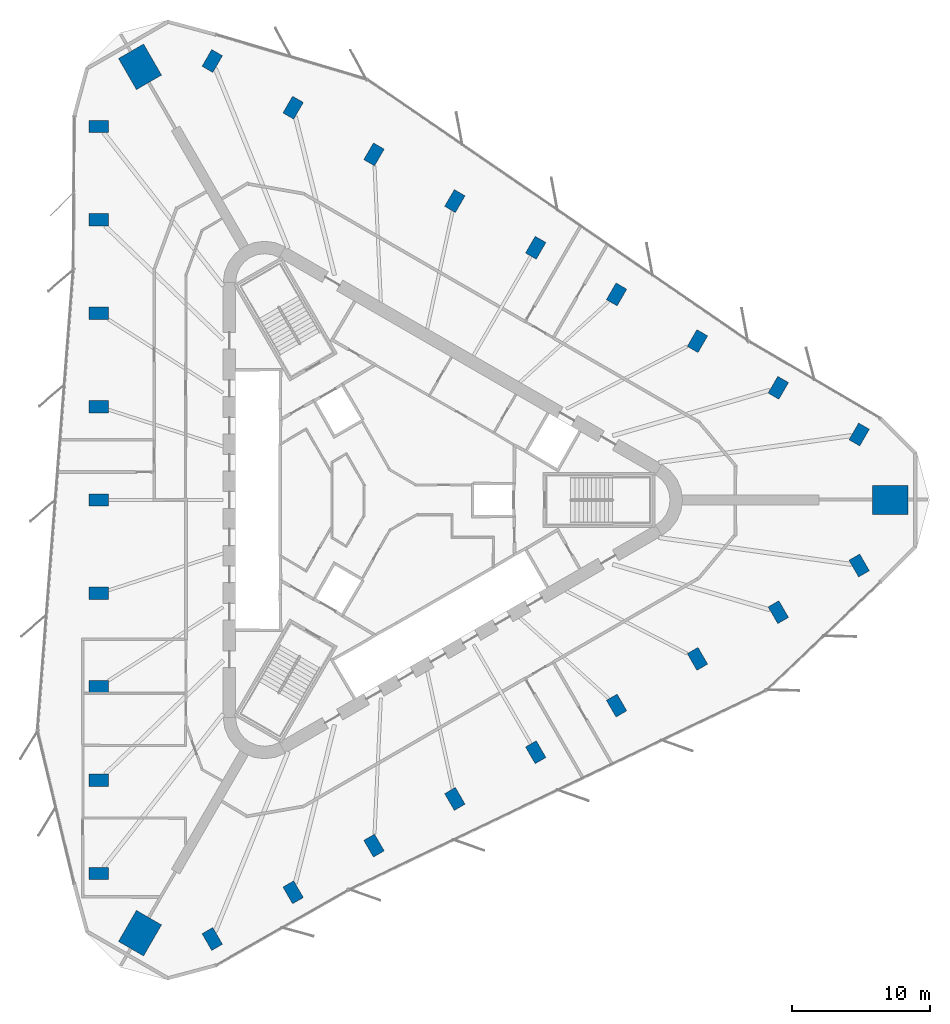
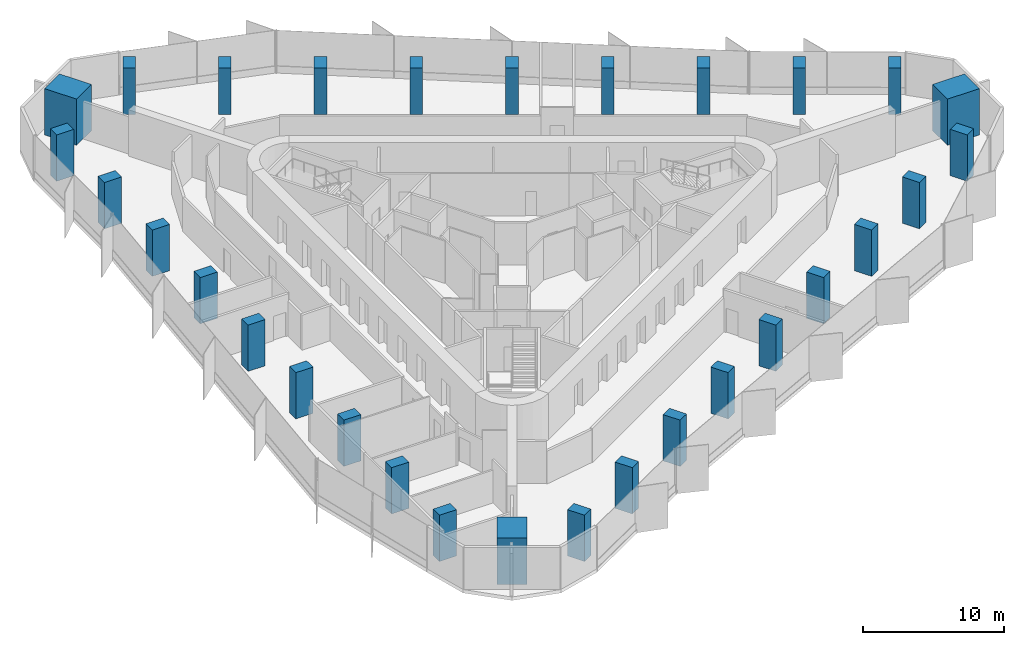
# One storey, part 1 of 13: 30 columns.
"""IFC4 building model written with IfcOpenShell, lengths in metres."""

from ifc_helpers import new_model, si_unit, direction, frame, origin, origin_2d, place, context, subcontext, project, spatial, rectangle, extrude, material, material_profile, profile_set, type_object, element, save


model = new_model("IFC4")

# Units and contexts
model_context = context("Model", 3, precision=1e-05, world=origin(), true_north=direction((0.0, 1.0)))
body_context = subcontext(model_context, "Body", "Model", "MODEL_VIEW")
ifc_project = project(units=[si_unit("LENGTHUNIT", "METRE"), si_unit("AREAUNIT", "SQUARE_METRE"), si_unit("VOLUMEUNIT", "CUBIC_METRE"), si_unit("PLANEANGLEUNIT", "RADIAN"), si_unit("MASSUNIT", "GRAM", prefix="KILO")], contexts=[model_context])

# Site, building, storey
site_placement = place(None, origin())
site = spatial("IfcSite", under=ifc_project, at=site_placement, CompositionType="ELEMENT")
building_placement = place(site_placement, origin())
building = spatial("IfcBuilding", under=site, at=building_placement, Name="Tanit Gate Tower", CompositionType="ELEMENT")
storey_placement = place(building_placement, frame((0.0, 0.0, 273.199951171875)))
storey = spatial("IfcBuildingStorey", under=building, at=storey_placement, Name="L62", CompositionType="ELEMENT", Elevation=273.199951171875)

# Columns
ifc_material_1 = material(Name="Concrete C60/75", Category="concrete")
ifc_material_profile_1 = material_profile(ifc_material_1, rectangle(XDim=2.60009765625, YDim=2.10009765625, at=origin_2d()), Name="RC 2600x2100")
ifc_profile_set_1 = profile_set([ifc_material_profile_1], Name="Concrete C60/75")
column_type_1 = type_object("IfcColumnType", Name="MEGA COLUMN 2600x2100 C60/75", PredefinedType="COLUMN", material=ifc_profile_set_1)
for number, where, z_axis, x_axis, name in (
    (1, (36.270263671875, 0.0, 0.0), (0.0, 0.0, 1.0), (1.0, 0.0, 0.0), "MEGA COLUMN"),
    (2, (-18.135009765625, 31.410888671875, 0.0), (0.0, 0.0, 1.0), (-0.5, 0.866025403784, 0.0), "MEGA COLUMN"),
    (3, (-18.135009765625, -31.410888671875, 0.0), (0.0, 0.0, 1.0), (-0.5, -0.866025403784, 0.0), "MEGA COLUMN"),
):
    element("IfcColumn", number, at=place(storey_placement, frame(where, z_axis=z_axis, x_axis=x_axis)), inside=storey, type_object=column_type_1, Name=name, PredefinedType="COLUMN", context=body_context, shape_type="SweptSolid", body=[
        extrude(rectangle(XDim=2.60009765625, YDim=2.10009765625, at=origin_2d()), origin(), (0.0, 0.0, 1.0), 4.0),
    ])
ifc_material_2 = material(Name="Concrete C50/60", Category="concrete")
ifc_material_profile_2 = material_profile(ifc_material_2, rectangle(XDim=1.39990234375, YDim=0.89990234375, at=origin_2d()), Name="RC 1400x900")
ifc_profile_set_2 = profile_set([ifc_material_profile_2], Name="Concrete C50/60")
column_type_2 = type_object("IfcColumnType", Name="PERIMETER COLUMN 1400x900 C50/60", PredefinedType="COLUMN", material=ifc_profile_set_2)
for number, where, z_axis, x_axis, name in (
    (4, (-21.121337890625, 27.083984375, 0.0), (0.0, 0.0, 1.0), (-1.0, 0.0, 0.0), "PERIMETER COLUMN"),
    (5, (-21.121337890625, 20.31298828125, 0.0), (0.0, 0.0, 1.0), (-1.0, 0.0, 0.0), "PERIMETER COLUMN"),
    (6, (-21.121337890625, 13.5419921875, 0.0), (0.0, 0.0, 1.0), (-1.0, 0.0, 0.0), "PERIMETER COLUMN"),
    (7, (-21.121337890625, 6.77099609375, 0.0), (0.0, 0.0, 1.0), (-1.0, 0.0, 0.0), "PERIMETER COLUMN"),
    (8, (-21.121337890625, 0.0, 0.0), (0.0, 0.0, 1.0), (-1.0, 0.0, 0.0), "PERIMETER COLUMN"),
    (9, (-21.121337890625, -6.77099609375, 0.0), (0.0, 0.0, 1.0), (-1.0, 0.0, 0.0), "PERIMETER COLUMN"),
    (10, (-21.121337890625, -13.5419921875, 0.0), (0.0, 0.0, 1.0), (-1.0, 0.0, 0.0), "PERIMETER COLUMN"),
    (11, (-21.121337890625, -20.31298828125, 0.0), (0.0, 0.0, 1.0), (-1.0, 0.0, 0.0), "PERIMETER COLUMN"),
    (12, (-21.121337890625, -27.083984375, 0.0), (0.0, 0.0, 1.0), (-1.0, 0.0, 0.0), "PERIMETER COLUMN"),
    (13, (34.01611328125, 4.749755859375, 0.0), (0.0, 0.0, 1.0), (0.5, 0.866025403784, 0.0), "PERIMETER COLUMN"),
    (14, (28.152099609375, 8.13525390625, 0.0), (0.0, 0.0, 1.0), (0.5, 0.866025403784, 0.0), "PERIMETER COLUMN"),
    (15, (22.288330078125, 11.520751953125, 0.0), (0.0, 0.0, 1.0), (0.5, 0.866025403784, 0.0), "PERIMETER COLUMN"),
    (16, (16.424560546875, 14.90625, 0.0), (0.0, 0.0, 1.0), (0.5, 0.866025403784, 0.0), "PERIMETER COLUMN"),
    (17, (10.560791015625, 18.291748046875, 0.0), (0.0, 0.0, 1.0), (0.5, 0.866025403784, 0.0), "PERIMETER COLUMN"),
    (18, (4.697021484375, 21.67724609375, 0.0), (0.0, 0.0, 1.0), (0.5, 0.866025403784, 0.0), "PERIMETER COLUMN"),
    (19, (-1.1669921875, 25.062744140625, 0.0), (0.0, 0.0, 1.0), (0.5, 0.866025403784, 0.0), "PERIMETER COLUMN"),
    (20, (-7.03076171875, 28.4482421875, 0.0), (0.0, 0.0, 1.0), (0.5, 0.866025403784, 0.0), "PERIMETER COLUMN"),
    (21, (-12.894775390625, 31.83349609375, 0.0), (0.0, 0.0, 1.0), (0.5, 0.866025403784, 0.0), "PERIMETER COLUMN"),
    (22, (-12.894775390625, -31.83349609375, 0.0), (0.0, 0.0, 1.0), (0.5, -0.866025403784, 0.0), "PERIMETER COLUMN"),
    (23, (-7.03076171875, -28.4482421875, 0.0), (0.0, 0.0, 1.0), (0.5, -0.866025403784, 0.0), "PERIMETER COLUMN"),
    (24, (-1.1669921875, -25.062744140625, 0.0), (0.0, 0.0, 1.0), (0.5, -0.866025403784, 0.0), "PERIMETER COLUMN"),
    (25, (4.697021484375, -21.67724609375, 0.0), (0.0, 0.0, 1.0), (0.5, -0.866025403784, 0.0), "PERIMETER COLUMN"),
    (26, (10.560791015625, -18.291748046875, 0.0), (0.0, 0.0, 1.0), (0.5, -0.866025403784, 0.0), "PERIMETER COLUMN"),
    (27, (16.424560546875, -14.90625, 0.0), (0.0, 0.0, 1.0), (0.5, -0.866025403784, 0.0), "PERIMETER COLUMN"),
    (28, (22.288330078125, -11.520751953125, 0.0), (0.0, 0.0, 1.0), (0.5, -0.866025403784, 0.0), "PERIMETER COLUMN"),
    (29, (28.152099609375, -8.13525390625, 0.0), (0.0, 0.0, 1.0), (0.5, -0.866025403784, 0.0), "PERIMETER COLUMN"),
    (30, (34.01611328125, -4.749755859375, 0.0), (0.0, 0.0, 1.0), (0.5, -0.866025403784, 0.0), "PERIMETER COLUMN"),
):
    element("IfcColumn", number, at=place(storey_placement, frame(where, z_axis=z_axis, x_axis=x_axis)), inside=storey, type_object=column_type_2, Name=name, PredefinedType="COLUMN", context=body_context, shape_type="SweptSolid", body=[
        extrude(rectangle(XDim=1.39990234375, YDim=0.89990234375, at=origin_2d()), origin(), (0.0, 0.0, 1.0), 4.0),
    ])

save(model, "model.ifc")
